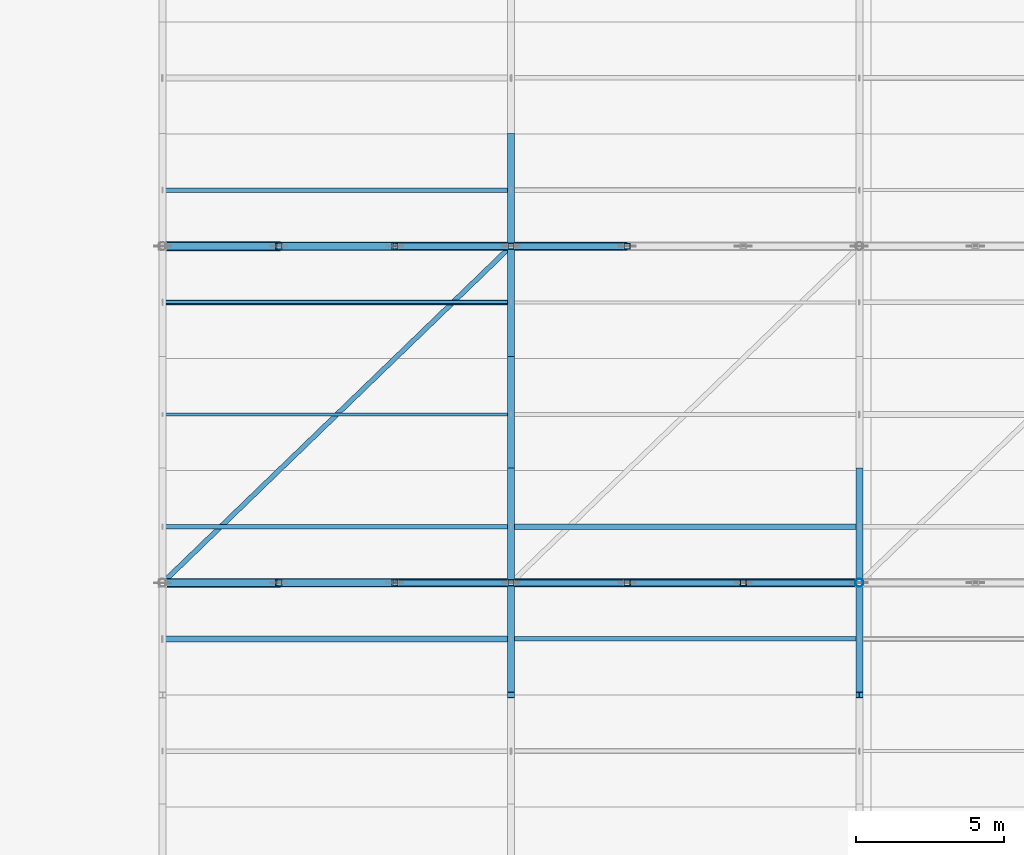
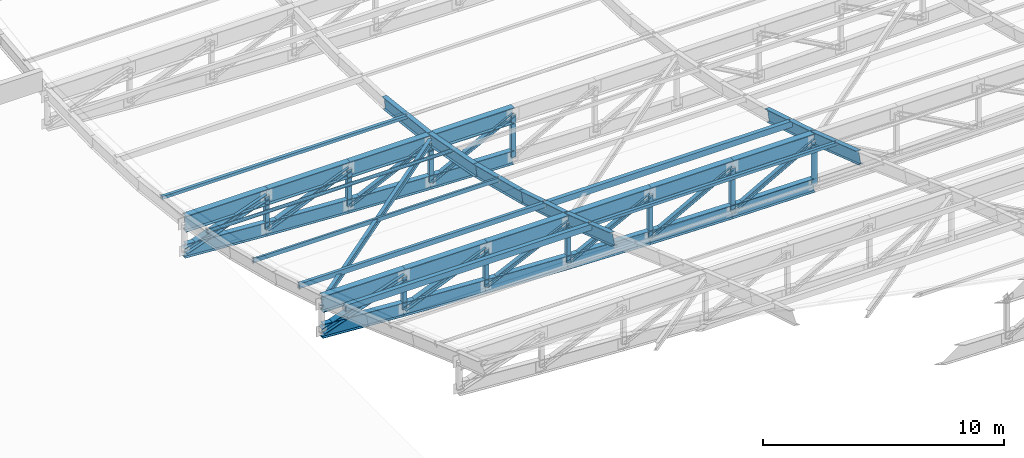
# One storey, part 13 of 65: 35 members, 20 beams.
"""IFC4 building model written with IfcOpenShell, lengths in metres."""

from ifc_helpers import new_model, si_unit, direction, frame, origin, origin_2d, place, context, subcontext, project, spatial, hollow_rectangle, hollow_circle, i_section, extrude, material, material_profile, profile_set, type_object, element, save


model = new_model("IFC4")

# Units and contexts
model_context = context("Model", 3, precision=1e-05, world=origin(), true_north=direction((0.0, 1.0)))
body_context = subcontext(model_context, "Body", "Model", "MODEL_VIEW")
ifc_project = project(units=[si_unit("LENGTHUNIT", "METRE"), si_unit("AREAUNIT", "SQUARE_METRE"), si_unit("VOLUMEUNIT", "CUBIC_METRE"), si_unit("PLANEANGLEUNIT", "RADIAN"), si_unit("MASSUNIT", "GRAM", prefix="KILO"), si_unit("POWERUNIT", "WATT"), si_unit("THERMODYNAMICTEMPERATUREUNIT", "KELVIN")], contexts=[model_context])

# Site, building, storey
site_placement = place(None, origin())
site = spatial("IfcSite", under=ifc_project, at=site_placement, CompositionType="ELEMENT")
building_placement = place(site_placement, origin())
building = spatial("IfcBuilding", under=site, at=building_placement, Name="Kelmbourne Parkland Aquatics Centre", CompositionType="ELEMENT")
storey_placement = place(building_placement, frame((0.0, 0.0, 27.0)))
storey = spatial("IfcBuildingStorey", under=building, at=storey_placement, Name="RF", CompositionType="ELEMENT", Elevation=27.0)

# Members
ifc_material_1 = material(Name="Structural steel AS/NZS 3679.1 Grade 300", Category="steel")
ifc_material_profile_1 = material_profile(ifc_material_1, i_section(OverallWidth=0.166015625, OverallDepth=0.306884765625, WebThickness=0.006591796875, FlangeThickness=0.01171875, at=origin_2d()), Name="310UB46.2")
ifc_profile_set_1 = profile_set([ifc_material_profile_1], Name="Structural steel AS/NZS 3679.1 Grade 300")
member_type_1 = type_object("IfcMemberType", Name="MB-BR-I", PredefinedType="BRACE", material=ifc_profile_set_1)
member_1_placement = place(storey_placement, frame((128.007080078125, 35.0068359375, -9.568359375), z_axis=(0.708582480884, 0.684569204059, -0.171101936399), x_axis=(-0.694815416631, 0.719188109476, 0.0)))
element("IfcMember", 1, at=member_1_placement, inside=storey, type_object=member_type_1, Name="Roof wind diagonal brace B4-03", PredefinedType="BRACE", context=body_context, shape_type="SweptSolid", body=[
    extrude(i_section(OverallWidth=0.166015625, OverallDepth=0.306884765625, WebThickness=0.006591796875, FlangeThickness=0.01171875, at=origin_2d()), origin(), (0.0, 0.0, 1.0), 16.633056640625),
])
ifc_material_profile_2 = material_profile(ifc_material_1, i_section(OverallWidth=0.306884765625, OverallDepth=0.31494140625, WebThickness=0.011962890625, FlangeThickness=0.018798828125, at=origin_2d()), Name="310UC118")
ifc_profile_set_2 = profile_set([ifc_material_profile_2], Name="Structural steel AS/NZS 3679.1 Grade 300")
member_type_2 = type_object("IfcMemberType", Name="MB-DIAG1", PredefinedType="STRUT", material=ifc_profile_set_2)
for number, where, z_axis, x_axis, name in (
    (2, (128.0, 35.0, -10.94677734375), (0.94359966112, 0.0, 0.331088627913), (0.0, 1.0, 0.0), "Roof truss R03 web diagonal 1"),
    (3, (128.0, 46.39990234375, -13.7958984375), (0.943617957768, 0.0, 0.331036478015), (0.0, 1.0, 0.0), "Roof truss R04 web diagonal 1"),
):
    element("IfcMember", number, at=place(storey_placement, frame(where, z_axis=z_axis, x_axis=x_axis)), inside=storey, type_object=member_type_2, Name=name, PredefinedType="STRUT", context=body_context, shape_type="SweptSolid", body=[
        extrude(i_section(OverallWidth=0.306884765625, OverallDepth=0.31494140625, WebThickness=0.011962890625, FlangeThickness=0.018798828125, at=origin_2d()), origin(), (0.0, 0.0, 1.0), 4.16845703125),
    ])
ifc_material_profile_3 = material_profile(ifc_material_1, i_section(OverallWidth=0.256103515625, OverallDepth=0.260009765625, WebThickness=0.010498046875, FlangeThickness=0.017333984375, at=origin_2d()), Name="250UC89.5")
ifc_profile_set_3 = profile_set([ifc_material_profile_3], Name="Structural steel AS/NZS 3679.1 Grade 300")
member_type_3 = type_object("IfcMemberType", Name="MB-DIAG2", PredefinedType="STRUT", material=ifc_profile_set_3)
for number, where, z_axis, x_axis, name in (
    (4, (131.933349609375, 35.0, -11.206298828125), (0.923014195881, 0.0, 0.384765895322), (0.0, 1.0, 0.0), "Roof truss R03 web diagonal 2"),
    (5, (131.933349609375, 46.39990234375, -14.0556640625), (0.923014195881, 0.0, 0.384765895322), (0.0, 1.0, 0.0), "Roof truss R04 web diagonal 2"),
):
    element("IfcMember", number, at=place(storey_placement, frame(where, z_axis=z_axis, x_axis=x_axis)), inside=storey, type_object=member_type_3, Name=name, PredefinedType="STRUT", context=body_context, shape_type="SweptSolid", body=[
        extrude(i_section(OverallWidth=0.256103515625, OverallDepth=0.260009765625, WebThickness=0.010498046875, FlangeThickness=0.017333984375, at=origin_2d()), origin(), (0.0, 0.0, 1.0), 4.261474609375),
    ])
ifc_material_profile_4 = material_profile(ifc_material_1, i_section(OverallWidth=0.205078125, OverallDepth=0.2099609375, WebThickness=0.00927734375, FlangeThickness=0.01416015625, at=origin_2d()), Name="200UC59.5")
ifc_profile_set_4 = profile_set([ifc_material_profile_4], Name="Structural steel AS/NZS 3679.1 Grade 300")
member_type_4 = type_object("IfcMemberType", Name="MB-DIAG3", PredefinedType="STRUT", material=ifc_profile_set_4)
member_2_placement = place(storey_placement, frame((135.86669921875, 35.0, -11.4189453125), z_axis=(0.904702860314, 0.0, 0.426043113475), x_axis=(0.0, 1.0, 0.0)))
element("IfcMember", 6, at=member_2_placement, inside=storey, type_object=member_type_4, Name="Roof truss R03 web diagonal 3", PredefinedType="STRUT", context=body_context, shape_type="SweptSolid", body=[
    extrude(i_section(OverallWidth=0.205078125, OverallDepth=0.2099609375, WebThickness=0.00927734375, FlangeThickness=0.01416015625, at=origin_2d()), origin(), (0.0, 0.0, 1.0), 4.34765625),
])
member_3_placement = place(storey_placement, frame((139.800048828125, 35.0, -11.584228515625), z_axis=(0.889773759549, 0.0, 0.456401858911), x_axis=(0.0, 1.0, 0.0)))
element("IfcMember", 7, at=member_3_placement, inside=storey, type_object=member_type_4, Name="Roof truss R03 web diagonal 4", PredefinedType="STRUT", context=body_context, shape_type="SweptSolid", body=[
    extrude(i_section(OverallWidth=0.205078125, OverallDepth=0.2099609375, WebThickness=0.00927734375, FlangeThickness=0.01416015625, at=origin_2d()), origin(), (0.0, 0.0, 1.0), 4.420654296875),
])
member_4_placement = place(storey_placement, frame((143.7333984375, 35.0, -11.702392578125), z_axis=(0.87880703159, 0.0, 0.477177326817), x_axis=(0.0, 1.0, 0.0)))
element("IfcMember", 8, at=member_4_placement, inside=storey, type_object=member_type_4, Name="Roof truss R03 web diagonal 5", PredefinedType="STRUT", context=body_context, shape_type="SweptSolid", body=[
    extrude(i_section(OverallWidth=0.205078125, OverallDepth=0.2099609375, WebThickness=0.00927734375, FlangeThickness=0.01416015625, at=origin_2d()), origin(), (0.0, 0.0, 1.0), 4.475830078125),
])
member_5_placement = place(storey_placement, frame((147.666748046875, 35.0, -11.773193359375), z_axis=(0.872140224212, 0.0, 0.489255995682), x_axis=(0.0, 1.0, 0.0)))
element("IfcMember", 9, at=member_5_placement, inside=storey, type_object=member_type_4, Name="Roof truss R03 web diagonal 6", PredefinedType="STRUT", context=body_context, shape_type="SweptSolid", body=[
    extrude(i_section(OverallWidth=0.205078125, OverallDepth=0.2099609375, WebThickness=0.00927734375, FlangeThickness=0.01416015625, at=origin_2d()), origin(), (0.0, 0.0, 1.0), 4.510009765625),
])
member_6_placement = place(storey_placement, frame((135.86669921875, 46.39990234375, -14.26806640625), z_axis=(0.904724503936, 0.0, 0.425997150199), x_axis=(0.0, 1.0, 0.0)))
element("IfcMember", 10, at=member_6_placement, inside=storey, type_object=member_type_4, Name="Roof truss R04 web diagonal 3", PredefinedType="STRUT", context=body_context, shape_type="SweptSolid", body=[
    extrude(i_section(OverallWidth=0.205078125, OverallDepth=0.2099609375, WebThickness=0.00927734375, FlangeThickness=0.01416015625, at=origin_2d()), origin(), (0.0, 0.0, 1.0), 4.34765625),
])
member_7_placement = place(storey_placement, frame((139.800048828125, 46.39990234375, -14.433349609375), z_axis=(0.889796186707, 0.0, 0.456358133621), x_axis=(0.0, 1.0, 0.0)))
element("IfcMember", 11, at=member_7_placement, inside=storey, type_object=member_type_4, Name="Roof truss R04 web diagonal 4", PredefinedType="STRUT", context=body_context, shape_type="SweptSolid", body=[
    extrude(i_section(OverallWidth=0.205078125, OverallDepth=0.2099609375, WebThickness=0.00927734375, FlangeThickness=0.01416015625, at=origin_2d()), origin(), (0.0, 0.0, 1.0), 4.42041015625),
])
ifc_material_profile_5 = material_profile(ifc_material_1, i_section(OverallWidth=0.22900390625, OverallDepth=0.612060546875, WebThickness=0.011962890625, FlangeThickness=0.01953125, at=origin_2d()), Name="610UB125")
ifc_profile_set_5 = profile_set([ifc_material_profile_5], Name="Structural steel AS/NZS 3679.1 Grade 300")
member_type_5 = type_object("IfcMemberType", Name="MB-LRIB", PredefinedType="STRUT", material=ifc_profile_set_5)
member_8_placement = place(storey_placement, frame((139.800048828125, 31.199951171875, -8.157470703125), z_axis=(0.0, 0.946978369756, -0.321297319029), x_axis=(-1.0, 0.0, 0.0)))
element("IfcMember", 12, at=member_8_placement, inside=storey, type_object=member_type_5, Name="Longitudinal wave rib K3 strip 09", PredefinedType="STRUT", context=body_context, shape_type="SweptSolid", body=[
    extrude(i_section(OverallWidth=0.22900390625, OverallDepth=0.612060546875, WebThickness=0.011962890625, FlangeThickness=0.01953125, at=origin_2d()), origin(), (0.0, 0.0, 1.0), 4.0126953125),
])
member_9_placement = place(storey_placement, frame((139.800048828125, 35.0, -9.44677734375), z_axis=(0.0, 0.956676857842, -0.291151832676), x_axis=(-1.0, 0.0, 0.0)))
element("IfcMember", 13, at=member_9_placement, inside=storey, type_object=member_type_5, Name="Longitudinal wave rib K3 strip 10", PredefinedType="STRUT", context=body_context, shape_type="SweptSolid", body=[
    extrude(i_section(OverallWidth=0.22900390625, OverallDepth=0.612060546875, WebThickness=0.011962890625, FlangeThickness=0.01953125, at=origin_2d()), origin(), (0.0, 0.0, 1.0), 3.97216796875),
])
member_10_placement = place(storey_placement, frame((139.800048828125, 38.800048828125, -10.603271484375), z_axis=(0.0, 0.96918642233, -0.246328396193), x_axis=(-1.0, 0.0, 0.0)))
element("IfcMember", 14, at=member_10_placement, inside=storey, type_object=member_type_5, Name="Longitudinal wave rib K3 strip 11", PredefinedType="STRUT", context=body_context, shape_type="SweptSolid", body=[
    extrude(i_section(OverallWidth=0.22900390625, OverallDepth=0.612060546875, WebThickness=0.011962890625, FlangeThickness=0.01953125, at=origin_2d()), origin(), (0.0, 0.0, 1.0), 3.9208984375),
])
member_11_placement = place(storey_placement, frame((139.800048828125, 42.60009765625, -11.569091796875), z_axis=(0.0, 0.982194109661, -0.187868919588), x_axis=(-1.0, 0.0, 0.0)))
element("IfcMember", 15, at=member_11_placement, inside=storey, type_object=member_type_5, Name="Longitudinal wave rib K3 strip 12", PredefinedType="STRUT", context=body_context, shape_type="SweptSolid", body=[
    extrude(i_section(OverallWidth=0.22900390625, OverallDepth=0.612060546875, WebThickness=0.011962890625, FlangeThickness=0.01953125, at=origin_2d()), origin(), (0.0, 0.0, 1.0), 3.86865234375),
])
member_12_placement = place(storey_placement, frame((139.800048828125, 46.39990234375, -12.2958984375), z_axis=(0.0, 0.993025491234, -0.117899846309), x_axis=(-1.0, 0.0, 0.0)))
element("IfcMember", 16, at=member_12_placement, inside=storey, type_object=member_type_5, Name="Longitudinal wave rib K3 strip 13", PredefinedType="STRUT", context=body_context, shape_type="SweptSolid", body=[
    extrude(i_section(OverallWidth=0.22900390625, OverallDepth=0.612060546875, WebThickness=0.011962890625, FlangeThickness=0.01953125, at=origin_2d()), origin(), (0.0, 0.0, 1.0), 3.82666015625),
])
member_13_placement = place(storey_placement, frame((151.60009765625, 31.199951171875, -8.157470703125), z_axis=(0.0, 0.946978369756, -0.321297319029), x_axis=(-1.0, 0.0, 0.0)))
element("IfcMember", 17, at=member_13_placement, inside=storey, type_object=member_type_5, Name="Longitudinal wave rib K6 strip 09", PredefinedType="STRUT", context=body_context, shape_type="SweptSolid", body=[
    extrude(i_section(OverallWidth=0.22900390625, OverallDepth=0.612060546875, WebThickness=0.011962890625, FlangeThickness=0.01953125, at=origin_2d()), origin(), (0.0, 0.0, 1.0), 4.0126953125),
])
member_14_placement = place(storey_placement, frame((151.60009765625, 35.0, -9.44677734375), z_axis=(0.0, 0.956676857842, -0.291151832676), x_axis=(-1.0, 0.0, 0.0)))
element("IfcMember", 18, at=member_14_placement, inside=storey, type_object=member_type_5, Name="Longitudinal wave rib K6 strip 10", PredefinedType="STRUT", context=body_context, shape_type="SweptSolid", body=[
    extrude(i_section(OverallWidth=0.22900390625, OverallDepth=0.612060546875, WebThickness=0.011962890625, FlangeThickness=0.01953125, at=origin_2d()), origin(), (0.0, 0.0, 1.0), 3.97216796875),
])
ifc_material_2 = material(Name="Cold-formed hollow steel AS/NZS 1163 C350L0", Category="steel")
ifc_material_profile_6 = material_profile(ifc_material_2, hollow_rectangle(XDim=0.199951171875, YDim=0.199951171875, WallThickness=0.010009765625, at=origin_2d()), Name="SHS 200x200x10.0")
ifc_profile_set_6 = profile_set([ifc_material_profile_6], Name="Cold-formed hollow steel AS/NZS 1163 C350L0")
member_type_6 = type_object("IfcMemberType", Name="MB-POST1", PredefinedType="STRUT", material=ifc_profile_set_6)
member_15_placement = place(storey_placement, frame((131.933349609375, 35.0, -11.206298828125), z_axis=(0.0, 0.0, 1.0), x_axis=(1.0, 0.0, 0.0)))
element("IfcMember", 19, at=member_15_placement, inside=storey, type_object=member_type_6, Name="Roof truss R03 vertical post 1", PredefinedType="STRUT", context=body_context, shape_type="SweptSolid", body=[
    extrude(hollow_rectangle(XDim=0.199951171875, YDim=0.199951171875, WallThickness=0.010009765625, at=origin_2d()), origin(), (0.0, 0.0, 1.0), 1.6396484375),
])
member_16_placement = place(storey_placement, frame((135.86669921875, 35.0, -11.4189453125), z_axis=(0.0, 0.0, 1.0), x_axis=(1.0, 0.0, 0.0)))
element("IfcMember", 20, at=member_16_placement, inside=storey, type_object=member_type_6, Name="Roof truss R03 vertical post 2", PredefinedType="STRUT", context=body_context, shape_type="SweptSolid", body=[
    extrude(hollow_rectangle(XDim=0.199951171875, YDim=0.199951171875, WallThickness=0.010009765625, at=origin_2d()), origin(), (0.0, 0.0, 1.0), 1.852294921875),
])
member_17_placement = place(storey_placement, frame((139.800048828125, 35.0, -11.584228515625), z_axis=(0.0, 0.0, 1.0), x_axis=(1.0, 0.0, 0.0)))
element("IfcMember", 21, at=member_17_placement, inside=storey, type_object=member_type_6, Name="Roof truss R03 vertical post 3", PredefinedType="STRUT", context=body_context, shape_type="SweptSolid", body=[
    extrude(hollow_rectangle(XDim=0.199951171875, YDim=0.199951171875, WallThickness=0.010009765625, at=origin_2d()), origin(), (0.0, 0.0, 1.0), 2.017578125),
])
member_18_placement = place(storey_placement, frame((143.7333984375, 35.0, -11.702392578125), z_axis=(0.0, 0.0, 1.0), x_axis=(1.0, 0.0, 0.0)))
element("IfcMember", 22, at=member_18_placement, inside=storey, type_object=member_type_6, Name="Roof truss R03 vertical post 4", PredefinedType="STRUT", context=body_context, shape_type="SweptSolid", body=[
    extrude(hollow_rectangle(XDim=0.199951171875, YDim=0.199951171875, WallThickness=0.010009765625, at=origin_2d()), origin(), (0.0, 0.0, 1.0), 2.1357421875),
])
member_19_placement = place(storey_placement, frame((147.666748046875, 35.0, -11.773193359375), z_axis=(0.0, 0.0, 1.0), x_axis=(1.0, 0.0, 0.0)))
element("IfcMember", 23, at=member_19_placement, inside=storey, type_object=member_type_6, Name="Roof truss R03 vertical post 5", PredefinedType="STRUT", context=body_context, shape_type="SweptSolid", body=[
    extrude(hollow_rectangle(XDim=0.199951171875, YDim=0.199951171875, WallThickness=0.010009765625, at=origin_2d()), origin(), (0.0, 0.0, 1.0), 2.20654296875),
])
member_20_placement = place(storey_placement, frame((131.933349609375, 46.39990234375, -14.0556640625), z_axis=(0.0, 0.0, 1.0), x_axis=(1.0, 0.0, 0.0)))
element("IfcMember", 24, at=member_20_placement, inside=storey, type_object=member_type_6, Name="Roof truss R04 vertical post 1", PredefinedType="STRUT", context=body_context, shape_type="SweptSolid", body=[
    extrude(hollow_rectangle(XDim=0.199951171875, YDim=0.199951171875, WallThickness=0.010009765625, at=origin_2d()), origin(), (0.0, 0.0, 1.0), 1.6396484375),
])
member_21_placement = place(storey_placement, frame((135.86669921875, 46.39990234375, -14.26806640625), z_axis=(0.0, 0.0, 1.0), x_axis=(1.0, 0.0, 0.0)))
element("IfcMember", 25, at=member_21_placement, inside=storey, type_object=member_type_6, Name="Roof truss R04 vertical post 2", PredefinedType="STRUT", context=body_context, shape_type="SweptSolid", body=[
    extrude(hollow_rectangle(XDim=0.199951171875, YDim=0.199951171875, WallThickness=0.010009765625, at=origin_2d()), origin(), (0.0, 0.0, 1.0), 1.85205078125),
])
member_22_placement = place(storey_placement, frame((139.800048828125, 46.39990234375, -14.433349609375), z_axis=(0.0, 0.0, 1.0), x_axis=(1.0, 0.0, 0.0)))
element("IfcMember", 26, at=member_22_placement, inside=storey, type_object=member_type_6, Name="Roof truss R04 vertical post 3", PredefinedType="STRUT", context=body_context, shape_type="SweptSolid", body=[
    extrude(hollow_rectangle(XDim=0.199951171875, YDim=0.199951171875, WallThickness=0.010009765625, at=origin_2d()), origin(), (0.0, 0.0, 1.0), 2.017333984375),
])
member_23_placement = place(storey_placement, frame((143.7333984375, 46.39990234375, -14.551513671875), z_axis=(0.0, 0.0, 1.0), x_axis=(1.0, 0.0, 0.0)))
element("IfcMember", 27, at=member_23_placement, inside=storey, type_object=member_type_6, Name="Roof truss R04 vertical post 4", PredefinedType="STRUT", context=body_context, shape_type="SweptSolid", body=[
    extrude(hollow_rectangle(XDim=0.199951171875, YDim=0.199951171875, WallThickness=0.010009765625, at=origin_2d()), origin(), (0.0, 0.0, 1.0), 2.135498046875),
])
ifc_material_profile_7 = material_profile(ifc_material_2, hollow_circle(Radius=0.136474609375, WallThickness=0.00927734375, at=origin_2d()), Name="CHS 273.1x9.3")
ifc_profile_set_7 = profile_set([ifc_material_profile_7], Name="Cold-formed hollow steel AS/NZS 1163 C350L0")
member_type_7 = type_object("IfcMemberType", Name="MB-POST2", PredefinedType="STRUT", material=ifc_profile_set_7)
member_24_placement = place(storey_placement, frame((151.60009765625, 35.0, -11.796630859375), z_axis=(0.0, 0.0, 1.0), x_axis=(1.0, 0.0, 0.0)))
element("IfcMember", 28, at=member_24_placement, inside=storey, type_object=member_type_7, Name="Roof truss R03 vertical post 6", PredefinedType="STRUT", context=body_context, shape_type="SweptSolid", body=[
    extrude(hollow_circle(Radius=0.136474609375, WallThickness=0.00927734375, at=origin_2d()), origin(), (0.0, 0.0, 1.0), 2.22998046875),
])
ifc_material_profile_8 = material_profile(ifc_material_2, hollow_rectangle(XDim=0.10009765625, YDim=0.199951171875, WallThickness=0.006103515625, at=origin_2d()), Name="RHS 200x100x6.0")
ifc_profile_set_8 = profile_set([ifc_material_profile_8], Name="Cold-formed hollow steel AS/NZS 1163 C350L0")
member_type_8 = type_object("IfcMemberType", Name="MB-PUR1", PredefinedType="PURLIN", material=ifc_profile_set_8)
member_25_placement = place(storey_placement, frame((128.0, 40.699951171875, -10.876220703125), z_axis=(1.0, 0.0, 0.0), x_axis=(0.0, 1.0, 0.0)))
element("IfcMember", 29, at=member_25_placement, inside=storey, type_object=member_type_8, Name="Wave roof purlin S11-G1", PredefinedType="PURLIN", context=body_context, shape_type="SweptSolid", body=[
    extrude(hollow_rectangle(XDim=0.10009765625, YDim=0.199951171875, WallThickness=0.006103515625, at=origin_2d()), origin(), (0.0, 0.0, 1.0), 11.800048828125),
])
ifc_material_profile_9 = material_profile(ifc_material_2, hollow_rectangle(XDim=0.14990234375, YDim=0.25, WallThickness=0.009033203125, at=origin_2d()), Name="RHS 250x150x9.0")
ifc_profile_set_9 = profile_set([ifc_material_profile_9], Name="Cold-formed hollow steel AS/NZS 1163 C350L0")
member_type_9 = type_object("IfcMemberType", Name="MB-PUR2", PredefinedType="PURLIN", material=ifc_profile_set_9)
member_26_placement = place(storey_placement, frame((128.0, 36.89990234375, -9.840087890625), z_axis=(1.0, 0.0, 0.0), x_axis=(0.0, 1.0, 0.0)))
element("IfcMember", 30, at=member_26_placement, inside=storey, type_object=member_type_9, Name="Wave roof purlin S10-G1", PredefinedType="PURLIN", context=body_context, shape_type="SweptSolid", body=[
    extrude(hollow_rectangle(XDim=0.14990234375, YDim=0.25, WallThickness=0.009033203125, at=origin_2d()), origin(), (0.0, 0.0, 1.0), 11.800048828125),
])
ifc_material_profile_10 = material_profile(ifc_material_2, hollow_rectangle(XDim=0.199951171875, YDim=0.300048828125, WallThickness=0.010009765625, at=origin_2d()), Name="RHS 300x200x10.0")
ifc_profile_set_10 = profile_set([ifc_material_profile_10], Name="Cold-formed hollow steel AS/NZS 1163 C350L0")
member_type_10 = type_object("IfcMemberType", Name="MB-PUR3", PredefinedType="PURLIN", material=ifc_profile_set_10)
for number, where, z_axis, x_axis, name in (
    (31, (128.0, 33.10009765625, -8.64208984375), (1.0, 0.0, 0.0), (0.0, 1.0, 0.0), "Wave roof purlin S09-G1"),
    (32, (139.800048828125, 36.89990234375, -9.864990234375), (1.0, 0.0, 0.0), (0.0, 1.0, 0.0), "Wave roof purlin S10-G2"),
):
    element("IfcMember", number, at=place(storey_placement, frame(where, z_axis=z_axis, x_axis=x_axis)), inside=storey, type_object=member_type_10, Name=name, PredefinedType="PURLIN", context=body_context, shape_type="SweptSolid", body=[
        extrude(hollow_rectangle(XDim=0.199951171875, YDim=0.300048828125, WallThickness=0.010009765625, at=origin_2d()), origin(), (0.0, 0.0, 1.0), 11.800048828125),
    ])
ifc_material_profile_11 = material_profile(ifc_material_2, hollow_rectangle(XDim=0.14990234375, YDim=0.14990234375, WallThickness=0.009033203125, at=origin_2d()), Name="SHS 150x150x9.0")
ifc_profile_set_11 = profile_set([ifc_material_profile_11], Name="Cold-formed hollow steel AS/NZS 1163 C350L0")
member_type_11 = type_object("IfcMemberType", Name="MB-PUR4", PredefinedType="PURLIN", material=ifc_profile_set_11)
for number, where, z_axis, x_axis, name in (
    (33, (139.800048828125, 33.10009765625, -8.567138671875), (1.0, 0.0, 0.0), (0.0, 1.0, 0.0), "Wave roof purlin S09-G2"),
    (34, (128.0, 48.300048828125, -12.28662109375), (1.0, 0.0, 0.0), (0.0, 1.0, 0.0), "Wave roof purlin S13-G1"),
):
    element("IfcMember", number, at=place(storey_placement, frame(where, z_axis=z_axis, x_axis=x_axis)), inside=storey, type_object=member_type_11, Name=name, PredefinedType="PURLIN", context=body_context, shape_type="SweptSolid", body=[
        extrude(hollow_rectangle(XDim=0.14990234375, YDim=0.14990234375, WallThickness=0.009033203125, at=origin_2d()), origin(), (0.0, 0.0, 1.0), 11.800048828125),
    ])
ifc_material_profile_12 = material_profile(ifc_material_2, hollow_circle(Radius=0.084228515625, WallThickness=0.007080078125, at=origin_2d()), Name="CHS 168.3x7.1")
ifc_profile_set_12 = profile_set([ifc_material_profile_12], Name="Cold-formed hollow steel AS/NZS 1163 C350L0")
member_type_12 = type_object("IfcMemberType", Name="MB-PUR5", PredefinedType="PURLIN", material=ifc_profile_set_12)
member_27_placement = place(storey_placement, frame((128.0, 44.5, -11.706787109375), z_axis=(1.0, 0.0, 0.0), x_axis=(0.0, 1.0, 0.0)))
element("IfcMember", 35, at=member_27_placement, inside=storey, type_object=member_type_12, Name="Wave roof purlin S12-G1", PredefinedType="PURLIN", context=body_context, shape_type="SweptSolid", body=[
    extrude(hollow_circle(Radius=0.084228515625, WallThickness=0.007080078125, at=origin_2d()), origin(), (0.0, 0.0, 1.0), 11.800048828125),
])

# Beams
ifc_material_3 = material(Name="Welded plate steel AS/NZS 3678 Grade 350", Category="steel")
ifc_material_profile_13 = material_profile(ifc_material_3, i_section(OverallWidth=0.25, OverallDepth=0.699951171875, WebThickness=0.010009765625, FlangeThickness=0.02001953125, at=origin_2d()), Name="700WB130")
ifc_profile_set_13 = profile_set([ifc_material_profile_13], Name="Welded plate steel AS/NZS 3678 Grade 350")
beam_type_1 = type_object("IfcBeamType", Name="TR-BC2", PredefinedType="BEAM", material=ifc_profile_set_13)
beam_1_placement = place(storey_placement, frame((128.0, 35.0, -10.94677734375), z_axis=(0.9978304164, 0.0, -0.065836616761), x_axis=(0.0, 1.0, 0.0)))
element("IfcBeam", 36, at=beam_1_placement, inside=storey, type_object=beam_type_1, Name="Roof truss R03 bottom chord 1", PredefinedType="BEAM", context=body_context, shape_type="SweptSolid", body=[
    extrude(i_section(OverallWidth=0.25, OverallDepth=0.699951171875, WebThickness=0.010009765625, FlangeThickness=0.02001953125, at=origin_2d()), origin(), (0.0, 0.0, 1.0), 3.94189453125),
])
beam_2_placement = place(storey_placement, frame((131.933349609375, 35.0, -11.206298828125), z_axis=(0.99854182183, 0.0, -0.053983609138), x_axis=(0.0, 1.0, 0.0)))
element("IfcBeam", 37, at=beam_2_placement, inside=storey, type_object=beam_type_1, Name="Roof truss R03 bottom chord 2", PredefinedType="BEAM", context=body_context, shape_type="SweptSolid", body=[
    extrude(i_section(OverallWidth=0.25, OverallDepth=0.699951171875, WebThickness=0.010009765625, FlangeThickness=0.02001953125, at=origin_2d()), origin(), (0.0, 0.0, 1.0), 3.939208984375),
])
beam_3_placement = place(storey_placement, frame((135.86669921875, 35.0, -11.4189453125), z_axis=(0.999118286144, 0.0, -0.041983928975), x_axis=(0.0, 1.0, 0.0)))
element("IfcBeam", 38, at=beam_3_placement, inside=storey, type_object=beam_type_1, Name="Roof truss R03 bottom chord 3", PredefinedType="BEAM", context=body_context, shape_type="SweptSolid", body=[
    extrude(i_section(OverallWidth=0.25, OverallDepth=0.699951171875, WebThickness=0.010009765625, FlangeThickness=0.02001953125, at=origin_2d()), origin(), (0.0, 0.0, 1.0), 3.936767578125),
])
beam_4_placement = place(storey_placement, frame((139.800048828125, 35.0, -11.584228515625), z_axis=(0.999549056749, 0.0, -0.030028039443), x_axis=(0.0, 1.0, 0.0)))
element("IfcBeam", 39, at=beam_4_placement, inside=storey, type_object=beam_type_1, Name="Roof truss R03 bottom chord 4", PredefinedType="BEAM", context=body_context, shape_type="SweptSolid", body=[
    extrude(i_section(OverallWidth=0.25, OverallDepth=0.699951171875, WebThickness=0.010009765625, FlangeThickness=0.02001953125, at=origin_2d()), origin(), (0.0, 0.0, 1.0), 3.93505859375),
])
beam_5_placement = place(storey_placement, frame((143.7333984375, 35.0, -11.702392578125), z_axis=(0.999838037122, 0.0, -0.017997208787), x_axis=(0.0, 1.0, 0.0)))
element("IfcBeam", 40, at=beam_5_placement, inside=storey, type_object=beam_type_1, Name="Roof truss R03 bottom chord 5", PredefinedType="BEAM", context=body_context, shape_type="SweptSolid", body=[
    extrude(i_section(OverallWidth=0.25, OverallDepth=0.699951171875, WebThickness=0.010009765625, FlangeThickness=0.02001953125, at=origin_2d()), origin(), (0.0, 0.0, 1.0), 3.93408203125),
])
beam_6_placement = place(storey_placement, frame((147.666748046875, 35.0, -11.773193359375), z_axis=(0.999982247648, 0.0, -0.005958556004), x_axis=(0.0, 1.0, 0.0)))
element("IfcBeam", 41, at=beam_6_placement, inside=storey, type_object=beam_type_1, Name="Roof truss R03 bottom chord 6", PredefinedType="BEAM", context=body_context, shape_type="SweptSolid", body=[
    extrude(i_section(OverallWidth=0.25, OverallDepth=0.699951171875, WebThickness=0.010009765625, FlangeThickness=0.02001953125, at=origin_2d()), origin(), (0.0, 0.0, 1.0), 3.933349609375),
])
beam_7_placement = place(storey_placement, frame((128.0, 46.39990234375, -13.7958984375), z_axis=(0.997826345785, 0.0, -0.065898282659), x_axis=(0.0, 1.0, 0.0)))
element("IfcBeam", 42, at=beam_7_placement, inside=storey, type_object=beam_type_1, Name="Roof truss R04 bottom chord 1", PredefinedType="BEAM", context=body_context, shape_type="SweptSolid", body=[
    extrude(i_section(OverallWidth=0.25, OverallDepth=0.699951171875, WebThickness=0.010009765625, FlangeThickness=0.02001953125, at=origin_2d()), origin(), (0.0, 0.0, 1.0), 3.94189453125),
])
beam_8_placement = place(storey_placement, frame((131.933349609375, 46.39990234375, -14.0556640625), z_axis=(0.998545160894, 0.0, -0.053921810563), x_axis=(0.0, 1.0, 0.0)))
element("IfcBeam", 43, at=beam_8_placement, inside=storey, type_object=beam_type_1, Name="Roof truss R04 bottom chord 2", PredefinedType="BEAM", context=body_context, shape_type="SweptSolid", body=[
    extrude(i_section(OverallWidth=0.25, OverallDepth=0.699951171875, WebThickness=0.010009765625, FlangeThickness=0.02001953125, at=origin_2d()), origin(), (0.0, 0.0, 1.0), 3.93896484375),
])
beam_9_placement = place(storey_placement, frame((135.86669921875, 46.39990234375, -14.26806640625), z_axis=(0.999118286144, 0.0, -0.041983928975), x_axis=(0.0, 1.0, 0.0)))
element("IfcBeam", 44, at=beam_9_placement, inside=storey, type_object=beam_type_1, Name="Roof truss R04 bottom chord 3", PredefinedType="BEAM", context=body_context, shape_type="SweptSolid", body=[
    extrude(i_section(OverallWidth=0.25, OverallDepth=0.699951171875, WebThickness=0.010009765625, FlangeThickness=0.02001953125, at=origin_2d()), origin(), (0.0, 0.0, 1.0), 3.936767578125),
])
beam_10_placement = place(storey_placement, frame((139.800048828125, 46.39990234375, -14.433349609375), z_axis=(0.999549056749, 0.0, -0.030028039443), x_axis=(0.0, 1.0, 0.0)))
element("IfcBeam", 45, at=beam_10_placement, inside=storey, type_object=beam_type_1, Name="Roof truss R04 bottom chord 4", PredefinedType="BEAM", context=body_context, shape_type="SweptSolid", body=[
    extrude(i_section(OverallWidth=0.25, OverallDepth=0.699951171875, WebThickness=0.010009765625, FlangeThickness=0.02001953125, at=origin_2d()), origin(), (0.0, 0.0, 1.0), 3.93505859375),
])
ifc_material_profile_14 = material_profile(ifc_material_3, i_section(OverallWidth=0.300048828125, OverallDepth=0.81591796875, WebThickness=0.011962890625, FlangeThickness=0.028076171875, at=origin_2d()), Name="800WB192")
ifc_profile_set_14 = profile_set([ifc_material_profile_14], Name="Welded plate steel AS/NZS 3678 Grade 350")
beam_type_2 = type_object("IfcBeamType", Name="TR-TC2", PredefinedType="BEAM", material=ifc_profile_set_14)
for number, where, z_axis, x_axis, name in (
    (46, (128.0, 35.0, -9.566650390625), (1.0, 0.0, 0.0), (0.0, 1.0, 0.0), "Roof truss R03 top chord 1"),
    (47, (131.933349609375, 35.0, -9.566650390625), (1.0, 0.0, 0.0), (0.0, 1.0, 0.0), "Roof truss R03 top chord 2"),
    (48, (135.86669921875, 35.0, -9.566650390625), (1.0, 0.0, 0.0), (0.0, 1.0, 0.0), "Roof truss R03 top chord 3"),
    (49, (139.800048828125, 35.0, -9.566650390625), (1.0, 0.0, 0.0), (0.0, 1.0, 0.0), "Roof truss R03 top chord 4"),
    (50, (143.7333984375, 35.0, -9.566650390625), (1.0, 0.0, 0.0), (0.0, 1.0, 0.0), "Roof truss R03 top chord 5"),
    (51, (147.666748046875, 35.0, -9.566650390625), (1.0, 0.0, 0.0), (0.0, 1.0, 0.0), "Roof truss R03 top chord 6"),
    (52, (128.0, 46.39990234375, -12.416015625), (1.0, 0.0, 0.0), (0.0, 1.0, 0.0), "Roof truss R04 top chord 1"),
    (53, (131.933349609375, 46.39990234375, -12.416015625), (1.0, 0.0, 0.0), (0.0, 1.0, 0.0), "Roof truss R04 top chord 2"),
    (54, (135.86669921875, 46.39990234375, -12.416015625), (1.0, 0.0, 0.0), (0.0, 1.0, 0.0), "Roof truss R04 top chord 3"),
    (55, (139.800048828125, 46.39990234375, -12.416015625), (1.0, 0.0, 0.0), (0.0, 1.0, 0.0), "Roof truss R04 top chord 4"),
):
    element("IfcBeam", number, at=place(storey_placement, frame(where, z_axis=z_axis, x_axis=x_axis)), inside=storey, type_object=beam_type_2, Name=name, PredefinedType="BEAM", context=body_context, shape_type="SweptSolid", body=[
        extrude(i_section(OverallWidth=0.300048828125, OverallDepth=0.81591796875, WebThickness=0.011962890625, FlangeThickness=0.028076171875, at=origin_2d()), origin(), (0.0, 0.0, 1.0), 3.933349609375),
    ])

save(model, "model.ifc")
